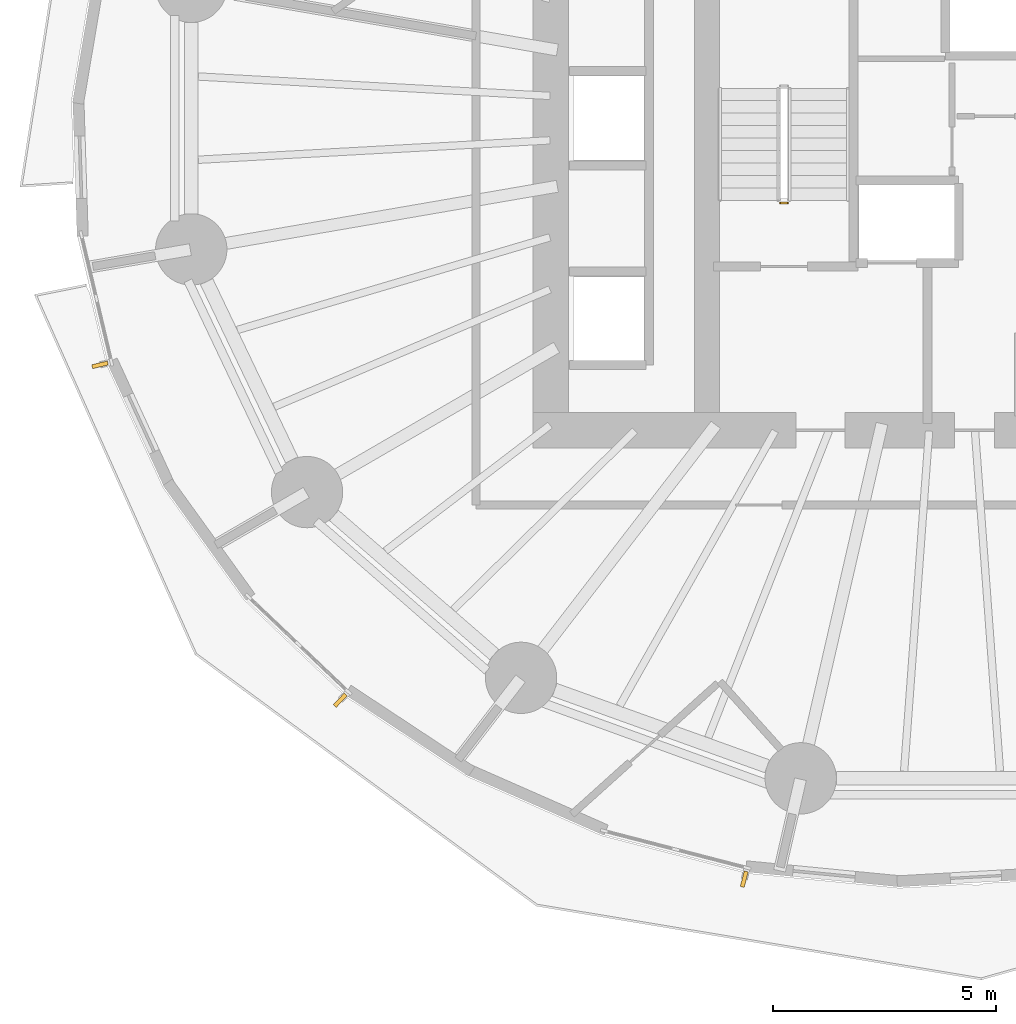
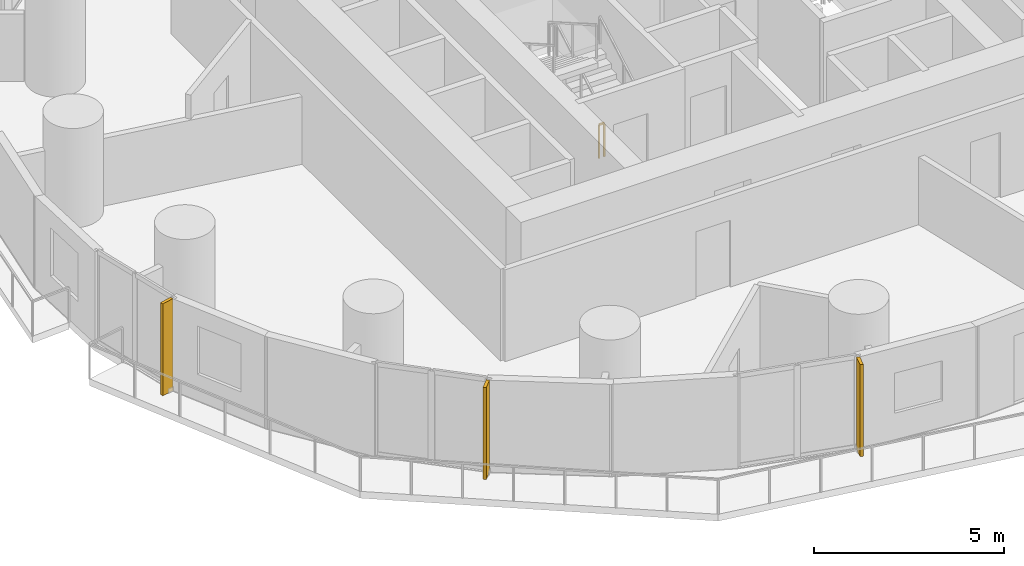
# One storey, part 11 of 14: 3 shading devices, 1 railing.
"""IFC4 building model written with IfcOpenShell, lengths in metres."""

from ifc_helpers import new_model, si_unit, direction, frame, origin, origin_2d, place, context, subcontext, project, spatial, rectangle, extrude, material, layer, layer_set, type_object, element, save


model = new_model("IFC4")

# Units and contexts
model_context = context("Model", 3, precision=1e-05, world=origin(), true_north=direction((0.0, 1.0)))
body_context = subcontext(model_context, "Body", "Model", "MODEL_VIEW")
ifc_project = project(units=[si_unit("LENGTHUNIT", "METRE"), si_unit("AREAUNIT", "SQUARE_METRE"), si_unit("VOLUMEUNIT", "CUBIC_METRE"), si_unit("PLANEANGLEUNIT", "RADIAN"), si_unit("MASSUNIT", "GRAM", prefix="KILO")], contexts=[model_context])

# Site, building, storey
site_placement = place(None, origin())
site = spatial("IfcSite", under=ifc_project, at=site_placement, CompositionType="ELEMENT")
building_placement = place(site_placement, origin())
building = spatial("IfcBuilding", under=site, at=building_placement, Name="Veldorim Arch Residences", CompositionType="ELEMENT")
storey_placement = place(building_placement, frame((0.0, 0.0, 37.60009765625)))
storey = spatial("IfcBuildingStorey", under=building, at=storey_placement, Name="L10", CompositionType="ELEMENT", Elevation=37.60009765625)

# Railing
ifc_material_1 = material(Name="Steel S355", Category="steel")
railing_type = type_object("IfcRailingType", Name="Galvanised Steel Stair Safety Guardrail 1100", PredefinedType="GUARDRAIL", material=ifc_material_1)
railing_placement = place(storey_placement, frame((28.31005859375, 22.10009765625, 0.0)))
element("IfcRailing", 1, at=railing_placement, inside=storey, type_object=railing_type, Name="L10 ST-1 stair guard 4", PredefinedType="GUARDRAIL", context=body_context, shape_type="SweptSolid", body=[
    extrude(rectangle(XDim=0.048095703125, YDim=0.048095703125, at=origin_2d()), frame((0.0, 0.0, 1.076171875), z_axis=(-1.0, 0.0, 0.0), x_axis=(0.0, -1.0, 0.0)), (0.0, 0.0, 1.0), 0.16015625),
    extrude(rectangle(XDim=0.0419921875, YDim=0.0419921875, at=origin_2d()), origin(), (0.0, 0.0, 1.0), 1.052001953125),
    extrude(rectangle(XDim=0.0419921875, YDim=0.0419921875, at=origin_2d()), frame((-0.16015625, 0.0, 0.0)), (0.0, 0.0, 1.0), 1.052001953125),
])

# Shading devices
ifc_material_2 = material(Name="Terracotta Ceramic", Category="masonry")
ifc_layer = layer(ifc_material_2, 0.090087890625, Name="Vertical Extruded Terracotta Baguette Sun-Shading Fin")
ifc_layer_set = layer_set([ifc_layer], Name="Terracotta Ceramic")
shading_device_type = type_object("IfcShadingDeviceType", Name="Vertical Extruded Terracotta Baguette Sun-Shading Fin", PredefinedType="USERDEFINED", material=ifc_layer_set)
for number, where, z_axis, x_axis, name in (
    (2, (12.887939453125, 18.4658203125, 0.0), (0.0, 0.0, 1.0), (-0.230219585439, 0.973138706701, 0.0), "L10 vertical terracotta sun-shading fin 19"),
    (3, (18.276123046875, 10.94189453125, 0.0), (0.0, 0.0, 1.0), (-0.724532846102, 0.689240273721, 0.0), "L10 vertical terracotta sun-shading fin 22"),
    (4, (27.338623046875, 6.927978515625, 0.0), (0.0, 0.0, 1.0), (-0.968191325187, 0.250211026602, 0.0), "L10 vertical terracotta sun-shading fin 25"),
):
    element("IfcShadingDevice", number, at=place(storey_placement, frame(where, z_axis=z_axis, x_axis=x_axis)), inside=storey, type_object=shading_device_type, Name=name, ObjectType="FIN", PredefinedType="USERDEFINED", context=body_context, shape_type="SweptSolid", body=[
        extrude(rectangle(XDim=0.090087890625, YDim=0.360107421875, at=origin_2d()), origin(), (0.0, 0.0, 1.0), 2.9599609375),
    ])

save(model, "model.ifc")
